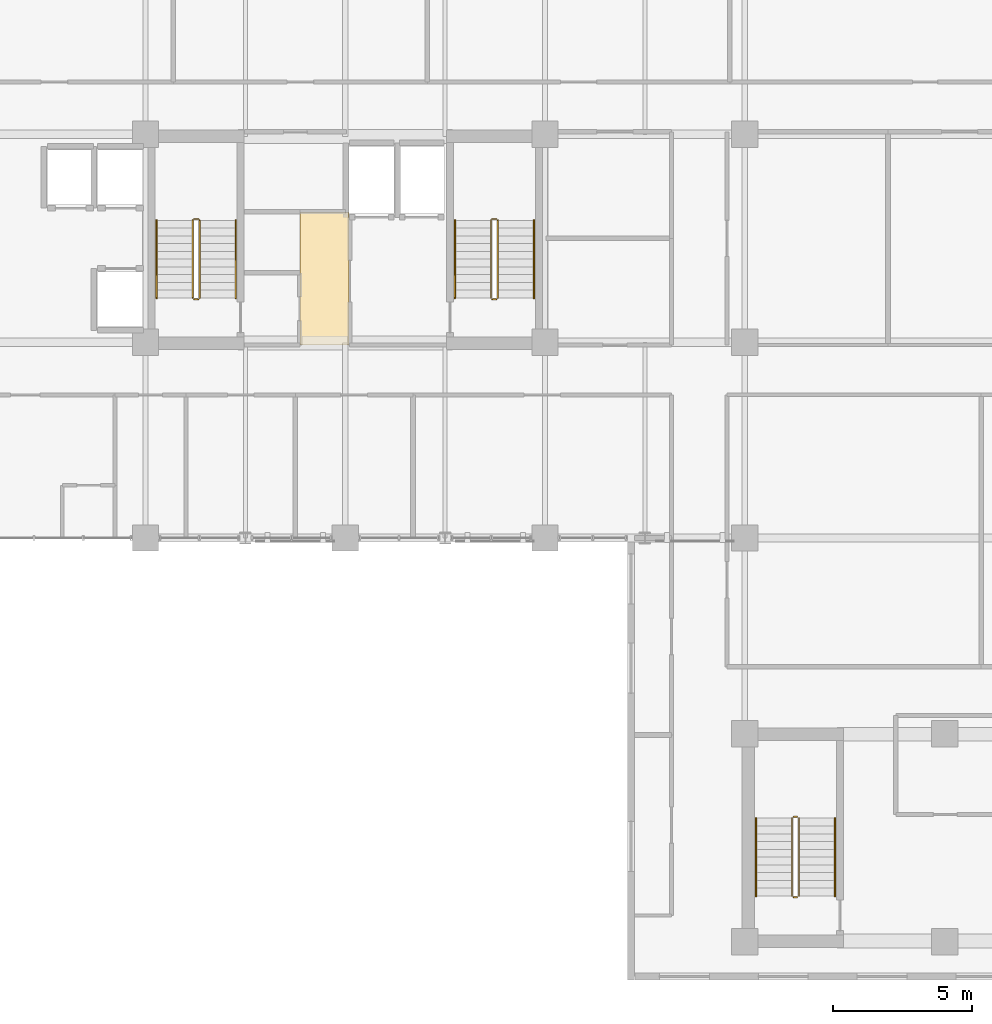
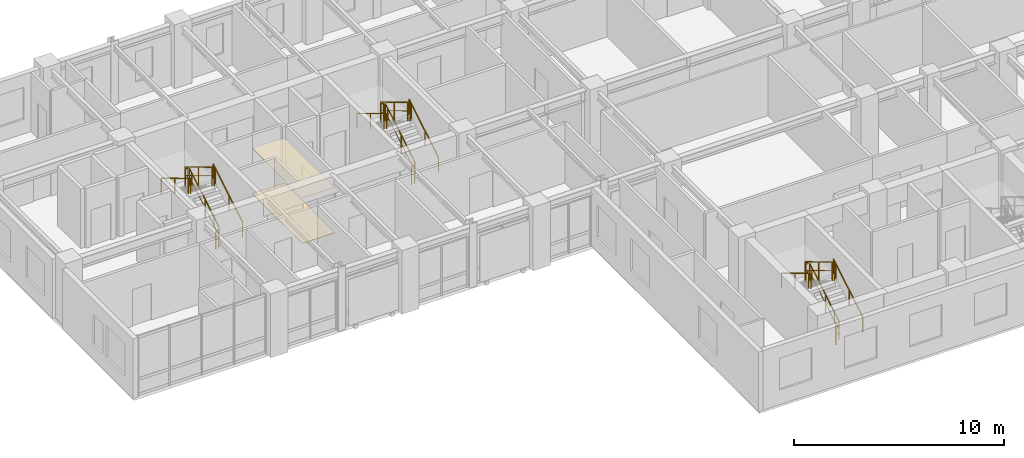
# One storey, part 14 of 16: 18 railings, 2 coverings.
"""IFC4 building model written with IfcOpenShell, lengths in metres."""

import ifcopenshell
import ifcopenshell.guid

model = None  # the IFC model being written
_history = None  # IfcOwnerHistory: only IFC2X3 demands one
_inside = {}  # id of a spatial element -> (the spatial element, [elements in it])
_under = {}  # id of a project, library or spatial element -> (it, [spatial elements below it])
_declared = {}  # id of a project -> (the project, [libraries it declares])
_typed = {}  # id of a type object -> (the type object, [elements of that type])
_made_of = {}  # id of a material, layer set ... -> (it, [elements and type objects made of it])


def new_model(schema):
    """Start an empty IFC model of exactly this schema.

    Asked for "IFC4X3", IfcOpenShell would pick the latest addendum, in which some entities
    have other attributes; the version numbers below select the first issue.
    IFC2X3 requires an IfcOwnerHistory on every rooted entity: one is made here for all.
    """
    global model, _history
    if schema == "IFC4X3":
        model = ifcopenshell.file(schema_version=(4, 3, 0, 0))
    else:
        model = ifcopenshell.file(schema=schema)
    _inside.clear()
    _under.clear()
    _declared.clear()
    _typed.clear()
    _made_of.clear()
    _history = None
    if model.schema == "IFC2X3":
        org = make("IfcOrganization", Name="unknown")
        user = make(
            "IfcPersonAndOrganization",
            ThePerson=make("IfcPerson", FamilyName="unknown"),
            TheOrganization=org,
        )
        app = make(
            "IfcApplication",
            ApplicationDeveloper=org,
            Version="unknown",
            ApplicationFullName="unknown",
            ApplicationIdentifier="unknown",
        )
        _history = make(
            "IfcOwnerHistory",
            OwningUser=user,
            OwningApplication=app,
            ChangeAction="ADDED",
            CreationDate=0,
        )
    return model


def make(cls, **values):
    """One entity of the class cls with the attributes given. An attribute that is None is left unset."""
    return model.create_entity(
        cls, **{name: value for name, value in values.items() if value is not None}
    )


def rooted(cls, **values):
    """An entity with a GlobalId (a new one), such as an element, a storey or a relation."""
    return make(cls, GlobalId=ifcopenshell.guid.new(), OwnerHistory=_history, **values)


def si_unit(unit_type, name, prefix=None):
    """IfcSIUnit, for example si_unit("LENGTHUNIT", "METRE", prefix="MILLI")."""
    return make("IfcSIUnit", UnitType=unit_type, Prefix=prefix, Name=name)


def assignment(units):
    """IfcUnitAssignment: the units of a project."""
    return None if units is None else make("IfcUnitAssignment", Units=units)


def point(xyz):
    """IfcCartesianPoint."""
    return None if xyz is None else make("IfcCartesianPoint", Coordinates=xyz)


def direction(xyz):
    """IfcDirection."""
    return None if xyz is None else make("IfcDirection", DirectionRatios=xyz)


def frame(location, z_axis=None, x_axis=None):
    """IfcAxis2Placement3D, a coordinate frame: its origin and axes. An axis left out is left unset."""
    return make(
        "IfcAxis2Placement3D",
        Location=point(location),
        Axis=direction(z_axis),
        RefDirection=direction(x_axis),
    )


def frame_2d(location, x_axis=None):
    """IfcAxis2Placement2D, a coordinate frame in the plane: its origin and x axis."""
    return make(
        "IfcAxis2Placement2D", Location=point(location), RefDirection=direction(x_axis)
    )


def origin():
    """The frame at (0, 0, 0) with its axes left unset."""
    return frame((0.0, 0.0, 0.0))


def origin_2d():
    """The frame at (0, 0) in the plane with its x axis left unset."""
    return frame_2d((0.0, 0.0))


def place(relative_to, where):
    """IfcLocalPlacement: puts the frame where relative to a parent placement (None: the world)."""
    return make(
        "IfcLocalPlacement", PlacementRelTo=relative_to, RelativePlacement=where
    )


def context(
    kind, dimensions, precision=None, world=None, true_north=None, identifier=None
):
    """IfcGeometricRepresentationContext, for example the 3D "Model" context."""
    return make(
        "IfcGeometricRepresentationContext",
        ContextIdentifier=identifier,
        ContextType=kind,
        CoordinateSpaceDimension=dimensions,
        Precision=precision,
        WorldCoordinateSystem=world,
        TrueNorth=true_north,
    )


def subcontext(parent, identifier, kind, view, scale=None):
    """IfcGeometricRepresentationSubContext, for example "Body" below "Model"."""
    return make(
        "IfcGeometricRepresentationSubContext",
        ContextIdentifier=identifier,
        ContextType=kind,
        ParentContext=parent,
        TargetScale=scale,
        TargetView=view,
    )


def project(units=None, contexts=None):
    """IfcProject with its units and contexts."""
    return rooted(
        "IfcProject",
        Name="project",
        RepresentationContexts=contexts,
        UnitsInContext=assignment(units),
    )


def spatial(cls, under=None, at=None, **own):
    """A site, building, storey or space (cls), placed at a placement, below another one or the project."""
    s = rooted(cls, ObjectPlacement=at, **own)
    if under is not None:
        _under.setdefault(under.id(), (under, []))[1].append(s)
    return s


def profile(cls, at=None, kind="AREA", **sizes):
    """A parametric profile (cls). Its sizes go by their IFC names, for example OverallWidth=200.0."""
    return make(cls, ProfileType=kind, Position=at, **sizes)


def rectangle(**sizes):
    """IfcRectangleProfileDef."""
    return profile("IfcRectangleProfileDef", **sizes)


def extrude(swept, where, along, depth):
    """IfcExtrudedAreaSolid: the profile swept, set in the frame where, extruded along a direction by depth."""
    return make(
        "IfcExtrudedAreaSolid",
        SweptArea=swept,
        Position=where,
        ExtrudedDirection=direction(along),
        Depth=depth,
    )


def shape(context_of_items, identifier, shape_type, items):
    """IfcShapeRepresentation: the items that make up one representation, for example the "Body"."""
    return make(
        "IfcShapeRepresentation",
        ContextOfItems=context_of_items,
        RepresentationIdentifier=identifier,
        RepresentationType=shape_type,
        Items=items,
    )


def source(mapping_origin, context_of_items, identifier, shape_type, items):
    """IfcRepresentationMap: a shape defined once, which mapped items show again and again."""
    return make(
        "IfcRepresentationMap",
        MappingOrigin=mapping_origin,
        MappedRepresentation=shape(context_of_items, identifier, shape_type, items),
    )


def transform(
    local_origin,
    x_axis=None,
    y_axis=None,
    z_axis=None,
    scale=None,
    scale2=None,
    scale3=None,
    uniform=True,
):
    """IfcCartesianTransformationOperator3D, or its non-uniform kind. x_axis, y_axis, z_axis: its Axis1, 2, 3."""
    if uniform:
        return make(
            "IfcCartesianTransformationOperator3D",
            Axis1=direction(x_axis),
            Axis2=direction(y_axis),
            LocalOrigin=point(local_origin),
            Scale=scale,
            Axis3=direction(z_axis),
        )
    return make(
        "IfcCartesianTransformationOperator3DnonUniform",
        Axis1=direction(x_axis),
        Axis2=direction(y_axis),
        LocalOrigin=point(local_origin),
        Scale=scale,
        Axis3=direction(z_axis),
        Scale2=scale2,
        Scale3=scale3,
    )


def mapped(mapping_source, mapping_target):
    """IfcMappedItem: shows the shape of a source again, moved by a transform."""
    return make(
        "IfcMappedItem", MappingSource=mapping_source, MappingTarget=mapping_target
    )


def material(Name=None, Category=None):
    """IfcMaterial."""
    return make("IfcMaterial", Name=Name, Category=Category)


def layer(
    of_material, thickness, ventilated=None, Name=None, Category=None, Priority=None
):
    """IfcMaterialLayer: one layer of a wall or slab, of a material (None: an air gap)."""
    return make(
        "IfcMaterialLayer",
        Material=of_material,
        LayerThickness=thickness,
        IsVentilated=ventilated,
        Name=Name,
        Category=Category,
        Priority=Priority,
    )


def layer_set(layers, Name=None):
    """IfcMaterialLayerSet."""
    return make("IfcMaterialLayerSet", MaterialLayers=layers, LayerSetName=Name)


def made_of(thing, what):
    """Note that an element or type object is made of a material, layer set ...; save() writes the relation."""
    if what is not None:
        _made_of.setdefault(what.id(), (what, []))[1].append(thing)
    return thing


def type_object(cls, material=None, **own):
    """A type object (cls), such as IfcWallType, which elements share."""
    return made_of(rooted(cls, **own), material)


def element(
    cls,
    number,
    at=None,
    inside=None,
    cuts=None,
    type_object=None,
    material=None,
    context=None,
    identifier="Body",
    shape_type=None,
    held_by="IfcProductDefinitionShape",
    body=None,
    shapes=None,
    **own,
):
    """One element of the class cls, such as IfcWall. Its Tag is "e" and its number.

    at: its placement. inside: the storey or other place that contains it. cuts: it is an
    opening in that element (IfcRelVoidsElement). A single representation is given by context,
    identifier, shape_type and body (its items); several are given by shapes. held_by: the class
    of the entity that holds the representations. save() writes the other relations.
    """
    e = rooted(cls, Tag="e%d" % number, ObjectPlacement=at, **own)
    if body is not None:
        shapes = [shape(context, identifier, shape_type, body)]
    if shapes is not None:
        e.Representation = make(held_by, Representations=shapes)
    if inside is not None:
        _inside.setdefault(inside.id(), (inside, []))[1].append(e)
    if cuts is not None:
        rooted(
            "IfcRelVoidsElement", RelatingBuildingElement=cuts, RelatedOpeningElement=e
        )
    if type_object is not None:
        _typed.setdefault(type_object.id(), (type_object, []))[1].append(e)
    return made_of(e, material)


def aggregate(whole, parts):
    """IfcRelAggregates: a whole, such as a stair, and the parts it consists of."""
    return rooted("IfcRelAggregates", RelatingObject=whole, RelatedObjects=parts)


def save(model, path):
    """Write the relations noted so far, then the file.

    IfcRelAggregates (storeys below a building ...), IfcRelContainedInSpatialStructure (elements
    in a storey), IfcRelDefinesByType, IfcRelAssociatesMaterial and IfcRelDeclares: one each for
    every whole, place, type object, material and project.
    """
    for whole, parts in _under.values():
        aggregate(whole, parts)
    for where, things in _inside.values():
        rooted(
            "IfcRelContainedInSpatialStructure",
            RelatedElements=things,
            RelatingStructure=where,
        )
    for kind, things in _typed.values():
        rooted("IfcRelDefinesByType", RelatedObjects=things, RelatingType=kind)
    for what, things in _made_of.values():
        rooted("IfcRelAssociatesMaterial", RelatedObjects=things, RelatingMaterial=what)
    for by, libraries in _declared.values():
        rooted("IfcRelDeclares", RelatingContext=by, RelatedDefinitions=libraries)
    model.write(path)


model = new_model("IFC4")

# Units and contexts
model_context = context("Model", 3, precision=1e-05, world=origin(), true_north=direction((0.0, 1.0)))
body_context = subcontext(model_context, "Body", "Model", "MODEL_VIEW")
ifc_project = project(units=[si_unit("LENGTHUNIT", "METRE"), si_unit("AREAUNIT", "SQUARE_METRE"), si_unit("VOLUMEUNIT", "CUBIC_METRE"), si_unit("PLANEANGLEUNIT", "RADIAN"), si_unit("MASSUNIT", "GRAM", prefix="KILO")], contexts=[model_context])

# Site, building, storey
site_placement = place(None, origin())
site = spatial("IfcSite", under=ifc_project, at=site_placement, CompositionType="ELEMENT")
building_placement = place(site_placement, origin())
building = spatial("IfcBuilding", under=site, at=building_placement, Name="Kaliganga Portal Commons", CompositionType="ELEMENT")
storey_placement = place(building_placement, frame((0.0, 0.0, 205.5)))
storey = spatial("IfcBuildingStorey", under=building, at=storey_placement, Name="L52", CompositionType="ELEMENT", Elevation=205.5)

# Railings
ifc_material_1 = material(Name="Galvanized Painted Steel Balustrade", Category="steel")
railing_type_1 = type_object("IfcRailingType", Name="RLG-STAIR-GRD", PredefinedType="GUARDRAIL", material=ifc_material_1)
railing_1_placement = place(storey_placement, frame((16.35009765625, 30.25, 0.168212890625)))
element("IfcRailing", 1, at=railing_1_placement, inside=storey, type_object=railing_type_1, Name="L52 ST-A1 stair guard 1", PredefinedType="GUARDRAIL", context=body_context, shape_type="SweptSolid", body=[
    extrude(rectangle(XDim=0.048095703125, YDim=0.048095703125, at=origin_2d()), frame((0.0, 0.0, 1.072021484375), z_axis=(0.0, 0.857242210791, 0.514913383045), x_axis=(-1.0, 0.0, 0.0)), (0.0, 0.0, 1.0), 3.266357421875),
    extrude(rectangle(XDim=0.028076171875, YDim=0.028076171875, at=origin_2d()), frame((0.0, 0.0, 0.572021484375), z_axis=(0.0, 0.857242210791, 0.514913383045), x_axis=(-1.0, 0.0, 0.0)), (0.0, 0.0, 1.0), 3.266357421875),
    extrude(rectangle(XDim=0.0419921875, YDim=0.0419921875, at=origin_2d()), origin(), (0.0, 0.0, 1.0), 1.052001953125),
    extrude(rectangle(XDim=0.0419921875, YDim=0.0419921875, at=origin_2d()), frame((0.0, 1.285888671875, 0.7724609375)), (0.0, 0.0, 1.0), 1.052001953125),
    extrude(rectangle(XDim=0.0419921875, YDim=0.0419921875, at=origin_2d()), frame((0.0, 2.57177734375, 1.544677734375)), (0.0, 0.0, 1.0), 1.052001953125),
    extrude(rectangle(XDim=0.0419921875, YDim=0.0419921875, at=origin_2d()), frame((0.0, 2.800048828125, 1.681884765625)), (0.0, 0.0, 1.0), 1.052001953125),
])
railing_2_placement = place(storey_placement, frame((16.300048828125, 33.10009765625, 1.85009765625)))
element("IfcRailing", 2, at=railing_2_placement, inside=storey, type_object=railing_type_1, Name="L52 ST-A1 stair guard 2", PredefinedType="GUARDRAIL", context=body_context, shape_type="SweptSolid", body=[
    extrude(rectangle(XDim=0.048095703125, YDim=0.048095703125, at=origin_2d()), frame((0.0, 0.0, 1.076171875), z_axis=(-1.0, 0.0, 0.0), x_axis=(0.0, -1.0, 0.0)), (0.0, 0.0, 1.0), 0.150146484375),
    extrude(rectangle(XDim=0.028076171875, YDim=0.028076171875, at=origin_2d()), frame((0.0, 0.0, 0.572021484375), z_axis=(-1.0, 0.0, 0.0), x_axis=(0.0, -1.0, 0.0)), (0.0, 0.0, 1.0), 0.150146484375),
    extrude(rectangle(XDim=0.0419921875, YDim=0.0419921875, at=origin_2d()), origin(), (0.0, 0.0, 1.0), 1.052001953125),
    extrude(rectangle(XDim=0.0419921875, YDim=0.0419921875, at=origin_2d()), frame((-0.150146484375, 0.0, 0.0)), (0.0, 0.0, 1.0), 1.052001953125),
])
railing_3_placement = place(storey_placement, frame((16.10009765625, 33.050048828125, 2.01806640625)))
element("IfcRailing", 3, at=railing_3_placement, inside=storey, type_object=railing_type_1, Name="L52 ST-A1 stair guard 3", PredefinedType="GUARDRAIL", context=body_context, shape_type="SweptSolid", body=[
    extrude(rectangle(XDim=0.048095703125, YDim=0.048095703125, at=origin_2d()), frame((0.0, 0.0, 1.072021484375), z_axis=(0.0, -0.857242210791, 0.514913383045), x_axis=(1.0, 0.0, 0.0)), (0.0, 0.0, 1.0), 3.266357421875),
    extrude(rectangle(XDim=0.028076171875, YDim=0.028076171875, at=origin_2d()), frame((0.0, 0.0, 0.572021484375), z_axis=(0.0, -0.857242210791, 0.514913383045), x_axis=(1.0, 0.0, 0.0)), (0.0, 0.0, 1.0), 3.266357421875),
    extrude(rectangle(XDim=0.0419921875, YDim=0.0419921875, at=origin_2d()), origin(), (0.0, 0.0, 1.0), 1.052001953125),
    extrude(rectangle(XDim=0.0419921875, YDim=0.0419921875, at=origin_2d()), frame((0.0, -1.285888671875, 0.7724609375)), (0.0, 0.0, 1.0), 1.052001953125),
    extrude(rectangle(XDim=0.0419921875, YDim=0.0419921875, at=origin_2d()), frame((0.0, -2.57177734375, 1.544677734375)), (0.0, 0.0, 1.0), 1.052001953125),
    extrude(rectangle(XDim=0.0419921875, YDim=0.0419921875, at=origin_2d()), frame((0.0, -2.800048828125, 1.681884765625)), (0.0, 0.0, 1.0), 1.052001953125),
])
railing_4_placement = place(storey_placement, frame((16.300048828125, 30.199951171875, 0.0)))
element("IfcRailing", 4, at=railing_4_placement, inside=storey, type_object=railing_type_1, Name="L52 ST-A1 stair guard 4", PredefinedType="GUARDRAIL", context=body_context, shape_type="SweptSolid", body=[
    extrude(rectangle(XDim=0.048095703125, YDim=0.048095703125, at=origin_2d()), frame((0.0, 0.0, 1.076171875), z_axis=(-1.0, 0.0, 0.0), x_axis=(0.0, -1.0, 0.0)), (0.0, 0.0, 1.0), 0.150146484375),
    extrude(rectangle(XDim=0.028076171875, YDim=0.028076171875, at=origin_2d()), frame((0.0, 0.0, 0.572021484375), z_axis=(-1.0, 0.0, 0.0), x_axis=(0.0, -1.0, 0.0)), (0.0, 0.0, 1.0), 0.150146484375),
    extrude(rectangle(XDim=0.0419921875, YDim=0.0419921875, at=origin_2d()), origin(), (0.0, 0.0, 1.0), 1.052001953125),
    extrude(rectangle(XDim=0.0419921875, YDim=0.0419921875, at=origin_2d()), frame((-0.150146484375, 0.0, 0.0)), (0.0, 0.0, 1.0), 1.052001953125),
])
railing_5_placement = place(storey_placement, frame((27.10009765625, 30.25, 0.168212890625)))
element("IfcRailing", 5, at=railing_5_placement, inside=storey, type_object=railing_type_1, Name="L52 ST-A2 stair guard 1", PredefinedType="GUARDRAIL", context=body_context, shape_type="SweptSolid", body=[
    extrude(rectangle(XDim=0.048095703125, YDim=0.048095703125, at=origin_2d()), frame((0.0, 0.0, 1.072021484375), z_axis=(0.0, 0.857242210791, 0.514913383045), x_axis=(-1.0, 0.0, 0.0)), (0.0, 0.0, 1.0), 3.266357421875),
    extrude(rectangle(XDim=0.028076171875, YDim=0.028076171875, at=origin_2d()), frame((0.0, 0.0, 0.572021484375), z_axis=(0.0, 0.857242210791, 0.514913383045), x_axis=(-1.0, 0.0, 0.0)), (0.0, 0.0, 1.0), 3.266357421875),
    extrude(rectangle(XDim=0.0419921875, YDim=0.0419921875, at=origin_2d()), origin(), (0.0, 0.0, 1.0), 1.052001953125),
    extrude(rectangle(XDim=0.0419921875, YDim=0.0419921875, at=origin_2d()), frame((0.0, 1.285888671875, 0.7724609375)), (0.0, 0.0, 1.0), 1.052001953125),
    extrude(rectangle(XDim=0.0419921875, YDim=0.0419921875, at=origin_2d()), frame((0.0, 2.57177734375, 1.544677734375)), (0.0, 0.0, 1.0), 1.052001953125),
    extrude(rectangle(XDim=0.0419921875, YDim=0.0419921875, at=origin_2d()), frame((0.0, 2.800048828125, 1.681884765625)), (0.0, 0.0, 1.0), 1.052001953125),
])
railing_6_placement = place(storey_placement, frame((27.050048828125, 33.10009765625, 1.85009765625)))
element("IfcRailing", 6, at=railing_6_placement, inside=storey, type_object=railing_type_1, Name="L52 ST-A2 stair guard 2", PredefinedType="GUARDRAIL", context=body_context, shape_type="SweptSolid", body=[
    extrude(rectangle(XDim=0.048095703125, YDim=0.048095703125, at=origin_2d()), frame((0.0, 0.0, 1.076171875), z_axis=(-1.0, 0.0, 0.0), x_axis=(0.0, -1.0, 0.0)), (0.0, 0.0, 1.0), 0.150146484375),
    extrude(rectangle(XDim=0.028076171875, YDim=0.028076171875, at=origin_2d()), frame((0.0, 0.0, 0.572021484375), z_axis=(-1.0, 0.0, 0.0), x_axis=(0.0, -1.0, 0.0)), (0.0, 0.0, 1.0), 0.150146484375),
    extrude(rectangle(XDim=0.0419921875, YDim=0.0419921875, at=origin_2d()), origin(), (0.0, 0.0, 1.0), 1.052001953125),
    extrude(rectangle(XDim=0.0419921875, YDim=0.0419921875, at=origin_2d()), frame((-0.150146484375, 0.0, 0.0)), (0.0, 0.0, 1.0), 1.052001953125),
])
railing_7_placement = place(storey_placement, frame((26.85009765625, 33.050048828125, 2.01806640625)))
element("IfcRailing", 7, at=railing_7_placement, inside=storey, type_object=railing_type_1, Name="L52 ST-A2 stair guard 3", PredefinedType="GUARDRAIL", context=body_context, shape_type="SweptSolid", body=[
    extrude(rectangle(XDim=0.048095703125, YDim=0.048095703125, at=origin_2d()), frame((0.0, 0.0, 1.072021484375), z_axis=(0.0, -0.857242210791, 0.514913383045), x_axis=(1.0, 0.0, 0.0)), (0.0, 0.0, 1.0), 3.266357421875),
    extrude(rectangle(XDim=0.028076171875, YDim=0.028076171875, at=origin_2d()), frame((0.0, 0.0, 0.572021484375), z_axis=(0.0, -0.857242210791, 0.514913383045), x_axis=(1.0, 0.0, 0.0)), (0.0, 0.0, 1.0), 3.266357421875),
    extrude(rectangle(XDim=0.0419921875, YDim=0.0419921875, at=origin_2d()), origin(), (0.0, 0.0, 1.0), 1.052001953125),
    extrude(rectangle(XDim=0.0419921875, YDim=0.0419921875, at=origin_2d()), frame((0.0, -1.285888671875, 0.7724609375)), (0.0, 0.0, 1.0), 1.052001953125),
    extrude(rectangle(XDim=0.0419921875, YDim=0.0419921875, at=origin_2d()), frame((0.0, -2.57177734375, 1.544677734375)), (0.0, 0.0, 1.0), 1.052001953125),
    extrude(rectangle(XDim=0.0419921875, YDim=0.0419921875, at=origin_2d()), frame((0.0, -2.800048828125, 1.681884765625)), (0.0, 0.0, 1.0), 1.052001953125),
])
railing_8_placement = place(storey_placement, frame((27.050048828125, 30.199951171875, 0.0)))
element("IfcRailing", 8, at=railing_8_placement, inside=storey, type_object=railing_type_1, Name="L52 ST-A2 stair guard 4", PredefinedType="GUARDRAIL", context=body_context, shape_type="SweptSolid", body=[
    extrude(rectangle(XDim=0.048095703125, YDim=0.048095703125, at=origin_2d()), frame((0.0, 0.0, 1.076171875), z_axis=(-1.0, 0.0, 0.0), x_axis=(0.0, -1.0, 0.0)), (0.0, 0.0, 1.0), 0.150146484375),
    extrude(rectangle(XDim=0.028076171875, YDim=0.028076171875, at=origin_2d()), frame((0.0, 0.0, 0.572021484375), z_axis=(-1.0, 0.0, 0.0), x_axis=(0.0, -1.0, 0.0)), (0.0, 0.0, 1.0), 0.150146484375),
    extrude(rectangle(XDim=0.0419921875, YDim=0.0419921875, at=origin_2d()), origin(), (0.0, 0.0, 1.0), 1.052001953125),
    extrude(rectangle(XDim=0.0419921875, YDim=0.0419921875, at=origin_2d()), frame((-0.150146484375, 0.0, 0.0)), (0.0, 0.0, 1.0), 1.052001953125),
])
railing_9_placement = place(storey_placement, frame((37.949951171875, 8.699951171875, 0.168212890625)))
element("IfcRailing", 9, at=railing_9_placement, inside=storey, type_object=railing_type_1, Name="L52 ST-B1 stair guard 1", PredefinedType="GUARDRAIL", context=body_context, shape_type="SweptSolid", body=[
    extrude(rectangle(XDim=0.048095703125, YDim=0.048095703125, at=origin_2d()), frame((0.0, 0.0, 1.072021484375), z_axis=(0.0, 0.857242210791, 0.514913383045), x_axis=(-1.0, 0.0, 0.0)), (0.0, 0.0, 1.0), 3.266357421875),
    extrude(rectangle(XDim=0.028076171875, YDim=0.028076171875, at=origin_2d()), frame((0.0, 0.0, 0.572021484375), z_axis=(0.0, 0.857242210791, 0.514913383045), x_axis=(-1.0, 0.0, 0.0)), (0.0, 0.0, 1.0), 3.266357421875),
    extrude(rectangle(XDim=0.0419921875, YDim=0.0419921875, at=origin_2d()), origin(), (0.0, 0.0, 1.0), 1.052001953125),
    extrude(rectangle(XDim=0.0419921875, YDim=0.0419921875, at=origin_2d()), frame((0.0, 1.285888671875, 0.7724609375)), (0.0, 0.0, 1.0), 1.052001953125),
    extrude(rectangle(XDim=0.0419921875, YDim=0.0419921875, at=origin_2d()), frame((0.0, 2.57177734375, 1.544677734375)), (0.0, 0.0, 1.0), 1.052001953125),
    extrude(rectangle(XDim=0.0419921875, YDim=0.0419921875, at=origin_2d()), frame((0.0, 2.800048828125, 1.681884765625)), (0.0, 0.0, 1.0), 1.052001953125),
])
railing_10_placement = place(storey_placement, frame((37.89990234375, 11.550048828125, 1.85009765625)))
element("IfcRailing", 10, at=railing_10_placement, inside=storey, type_object=railing_type_1, Name="L52 ST-B1 stair guard 2", PredefinedType="GUARDRAIL", context=body_context, shape_type="SweptSolid", body=[
    extrude(rectangle(XDim=0.048095703125, YDim=0.048095703125, at=origin_2d()), frame((0.0, 0.0, 1.076171875), z_axis=(-1.0, 0.0, 0.0), x_axis=(0.0, -1.0, 0.0)), (0.0, 0.0, 1.0), 0.14990234375),
    extrude(rectangle(XDim=0.028076171875, YDim=0.028076171875, at=origin_2d()), frame((0.0, 0.0, 0.572021484375), z_axis=(-1.0, 0.0, 0.0), x_axis=(0.0, -1.0, 0.0)), (0.0, 0.0, 1.0), 0.14990234375),
    extrude(rectangle(XDim=0.0419921875, YDim=0.0419921875, at=origin_2d()), frame((-0.14990234375, 0.0, 0.0)), (0.0, 0.0, 1.0), 1.052001953125),
])
railing_11_placement = place(storey_placement, frame((37.699951171875, 11.5, 2.01806640625)))
element("IfcRailing", 11, at=railing_11_placement, inside=storey, type_object=railing_type_1, Name="L52 ST-B1 stair guard 3", PredefinedType="GUARDRAIL", context=body_context, shape_type="SweptSolid", body=[
    extrude(rectangle(XDim=0.048095703125, YDim=0.048095703125, at=origin_2d()), frame((0.0, 0.0, 1.072021484375), z_axis=(0.0, -0.857242210791, 0.514913383045), x_axis=(1.0, 0.0, 0.0)), (0.0, 0.0, 1.0), 3.266357421875),
    extrude(rectangle(XDim=0.028076171875, YDim=0.028076171875, at=origin_2d()), frame((0.0, 0.0, 0.572021484375), z_axis=(0.0, -0.857242210791, 0.514913383045), x_axis=(1.0, 0.0, 0.0)), (0.0, 0.0, 1.0), 3.266357421875),
    extrude(rectangle(XDim=0.0419921875, YDim=0.0419921875, at=origin_2d()), origin(), (0.0, 0.0, 1.0), 1.052001953125),
    extrude(rectangle(XDim=0.0419921875, YDim=0.0419921875, at=origin_2d()), frame((0.0, -1.285888671875, 0.7724609375)), (0.0, 0.0, 1.0), 1.052001953125),
    extrude(rectangle(XDim=0.0419921875, YDim=0.0419921875, at=origin_2d()), frame((0.0, -2.57177734375, 1.544677734375)), (0.0, 0.0, 1.0), 1.052001953125),
    extrude(rectangle(XDim=0.0419921875, YDim=0.0419921875, at=origin_2d()), frame((0.0, -2.800048828125, 1.681884765625)), (0.0, 0.0, 1.0), 1.052001953125),
])
railing_12_placement = place(storey_placement, frame((37.89990234375, 8.64990234375, 0.0)))
element("IfcRailing", 12, at=railing_12_placement, inside=storey, type_object=railing_type_1, Name="L52 ST-B1 stair guard 4", PredefinedType="GUARDRAIL", context=body_context, shape_type="SweptSolid", body=[
    extrude(rectangle(XDim=0.048095703125, YDim=0.048095703125, at=origin_2d()), frame((0.0, 0.0, 1.076171875), z_axis=(-1.0, 0.0, 0.0), x_axis=(0.0, -1.0, 0.0)), (0.0, 0.0, 1.0), 0.14990234375),
    extrude(rectangle(XDim=0.028076171875, YDim=0.028076171875, at=origin_2d()), frame((0.0, 0.0, 0.572021484375), z_axis=(-1.0, 0.0, 0.0), x_axis=(0.0, -1.0, 0.0)), (0.0, 0.0, 1.0), 0.14990234375),
    extrude(rectangle(XDim=0.0419921875, YDim=0.0419921875, at=origin_2d()), frame((-0.14990234375, 0.0, 0.0)), (0.0, 0.0, 1.0), 1.052001953125),
])
ifc_material_2 = material(Name="Brushed Stainless Steel 316", Category="steel")
railing_type_2 = type_object("IfcRailingType", Name="RLG-STAIR-HR", PredefinedType="HANDRAIL", material=ifc_material_2)
railing_13_placement = place(storey_placement, frame((17.64990234375, 30.25, 0.168212890625)))
element("IfcRailing", 13, at=railing_13_placement, inside=storey, type_object=railing_type_2, Name="L52 ST-A1 stair handrail 1", PredefinedType="HANDRAIL", context=body_context, shape_type="SweptSolid", body=[
    extrude(rectangle(XDim=0.048095703125, YDim=0.048095703125, at=origin_2d()), frame((0.0, 0.0, 0.871826171875), z_axis=(0.0, 0.857242210791, 0.514913383045), x_axis=(-1.0, 0.0, 0.0)), (0.0, 0.0, 1.0), 3.266357421875),
    extrude(rectangle(XDim=0.0419921875, YDim=0.0419921875, at=origin_2d()), origin(), (0.0, 0.0, 1.0), 0.851806640625),
    extrude(rectangle(XDim=0.0419921875, YDim=0.0419921875, at=origin_2d()), frame((0.0, 1.285888671875, 0.7724609375)), (0.0, 0.0, 1.0), 0.851806640625),
    extrude(rectangle(XDim=0.0419921875, YDim=0.0419921875, at=origin_2d()), frame((0.0, 2.57177734375, 1.544677734375)), (0.0, 0.0, 1.0), 0.851806640625),
    extrude(rectangle(XDim=0.0419921875, YDim=0.0419921875, at=origin_2d()), frame((0.0, 2.800048828125, 1.681884765625)), (0.0, 0.0, 1.0), 0.851806640625),
])
railing_14_placement = place(storey_placement, frame((14.800048828125, 33.050048828125, 2.01806640625)))
element("IfcRailing", 14, at=railing_14_placement, inside=storey, type_object=railing_type_2, Name="L52 ST-A1 stair handrail 2", PredefinedType="HANDRAIL", context=body_context, shape_type="SweptSolid", body=[
    extrude(rectangle(XDim=0.048095703125, YDim=0.048095703125, at=origin_2d()), frame((0.0, 0.0, 0.871826171875), z_axis=(0.0, -0.857242210791, 0.514913383045), x_axis=(1.0, 0.0, 0.0)), (0.0, 0.0, 1.0), 3.266357421875),
    extrude(rectangle(XDim=0.0419921875, YDim=0.0419921875, at=origin_2d()), origin(), (0.0, 0.0, 1.0), 0.851806640625),
    extrude(rectangle(XDim=0.0419921875, YDim=0.0419921875, at=origin_2d()), frame((0.0, -1.285888671875, 0.7724609375)), (0.0, 0.0, 1.0), 0.851806640625),
    extrude(rectangle(XDim=0.0419921875, YDim=0.0419921875, at=origin_2d()), frame((0.0, -2.57177734375, 1.544677734375)), (0.0, 0.0, 1.0), 0.851806640625),
    extrude(rectangle(XDim=0.0419921875, YDim=0.0419921875, at=origin_2d()), frame((0.0, -2.800048828125, 1.681884765625)), (0.0, 0.0, 1.0), 0.851806640625),
])
railing_15_placement = place(storey_placement, frame((28.39990234375, 30.25, 0.168212890625)))
element("IfcRailing", 15, at=railing_15_placement, inside=storey, type_object=railing_type_2, Name="L52 ST-A2 stair handrail 1", PredefinedType="HANDRAIL", context=body_context, shape_type="SweptSolid", body=[
    extrude(rectangle(XDim=0.048095703125, YDim=0.048095703125, at=origin_2d()), frame((0.0, 0.0, 0.871826171875), z_axis=(0.0, 0.857242210791, 0.514913383045), x_axis=(-1.0, 0.0, 0.0)), (0.0, 0.0, 1.0), 3.266357421875),
    extrude(rectangle(XDim=0.0419921875, YDim=0.0419921875, at=origin_2d()), origin(), (0.0, 0.0, 1.0), 0.851806640625),
    extrude(rectangle(XDim=0.0419921875, YDim=0.0419921875, at=origin_2d()), frame((0.0, 1.285888671875, 0.7724609375)), (0.0, 0.0, 1.0), 0.851806640625),
    extrude(rectangle(XDim=0.0419921875, YDim=0.0419921875, at=origin_2d()), frame((0.0, 2.57177734375, 1.544677734375)), (0.0, 0.0, 1.0), 0.851806640625),
    extrude(rectangle(XDim=0.0419921875, YDim=0.0419921875, at=origin_2d()), frame((0.0, 2.800048828125, 1.681884765625)), (0.0, 0.0, 1.0), 0.851806640625),
])
railing_16_placement = place(storey_placement, frame((25.550048828125, 33.050048828125, 2.01806640625)))
element("IfcRailing", 16, at=railing_16_placement, inside=storey, type_object=railing_type_2, Name="L52 ST-A2 stair handrail 2", PredefinedType="HANDRAIL", context=body_context, shape_type="SweptSolid", body=[
    extrude(rectangle(XDim=0.048095703125, YDim=0.048095703125, at=origin_2d()), frame((0.0, 0.0, 0.871826171875), z_axis=(0.0, -0.857242210791, 0.514913383045), x_axis=(1.0, 0.0, 0.0)), (0.0, 0.0, 1.0), 3.266357421875),
    extrude(rectangle(XDim=0.0419921875, YDim=0.0419921875, at=origin_2d()), origin(), (0.0, 0.0, 1.0), 0.851806640625),
    extrude(rectangle(XDim=0.0419921875, YDim=0.0419921875, at=origin_2d()), frame((0.0, -1.285888671875, 0.7724609375)), (0.0, 0.0, 1.0), 0.851806640625),
    extrude(rectangle(XDim=0.0419921875, YDim=0.0419921875, at=origin_2d()), frame((0.0, -2.57177734375, 1.544677734375)), (0.0, 0.0, 1.0), 0.851806640625),
    extrude(rectangle(XDim=0.0419921875, YDim=0.0419921875, at=origin_2d()), frame((0.0, -2.800048828125, 1.681884765625)), (0.0, 0.0, 1.0), 0.851806640625),
])
railing_17_placement = place(storey_placement, frame((39.25, 8.699951171875, 0.168212890625)))
element("IfcRailing", 17, at=railing_17_placement, inside=storey, type_object=railing_type_2, Name="L52 ST-B1 stair handrail 1", PredefinedType="HANDRAIL", context=body_context, shape_type="SweptSolid", body=[
    extrude(rectangle(XDim=0.048095703125, YDim=0.048095703125, at=origin_2d()), frame((0.0, 0.0, 0.871826171875), z_axis=(0.0, 0.857242210791, 0.514913383045), x_axis=(-1.0, 0.0, 0.0)), (0.0, 0.0, 1.0), 3.266357421875),
    extrude(rectangle(XDim=0.0419921875, YDim=0.0419921875, at=origin_2d()), origin(), (0.0, 0.0, 1.0), 0.851806640625),
    extrude(rectangle(XDim=0.0419921875, YDim=0.0419921875, at=origin_2d()), frame((0.0, 1.285888671875, 0.7724609375)), (0.0, 0.0, 1.0), 0.851806640625),
    extrude(rectangle(XDim=0.0419921875, YDim=0.0419921875, at=origin_2d()), frame((0.0, 2.57177734375, 1.544677734375)), (0.0, 0.0, 1.0), 0.851806640625),
    extrude(rectangle(XDim=0.0419921875, YDim=0.0419921875, at=origin_2d()), frame((0.0, 2.800048828125, 1.681884765625)), (0.0, 0.0, 1.0), 0.851806640625),
])
railing_18_placement = place(storey_placement, frame((36.39990234375, 11.5, 2.01806640625)))
element("IfcRailing", 18, at=railing_18_placement, inside=storey, type_object=railing_type_2, Name="L52 ST-B1 stair handrail 2", PredefinedType="HANDRAIL", context=body_context, shape_type="SweptSolid", body=[
    extrude(rectangle(XDim=0.048095703125, YDim=0.048095703125, at=origin_2d()), frame((0.0, 0.0, 0.871826171875), z_axis=(0.0, -0.857242210791, 0.514913383045), x_axis=(1.0, 0.0, 0.0)), (0.0, 0.0, 1.0), 3.266357421875),
    extrude(rectangle(XDim=0.0419921875, YDim=0.0419921875, at=origin_2d()), origin(), (0.0, 0.0, 1.0), 0.851806640625),
    extrude(rectangle(XDim=0.0419921875, YDim=0.0419921875, at=origin_2d()), frame((0.0, -1.285888671875, 0.7724609375)), (0.0, 0.0, 1.0), 0.851806640625),
    extrude(rectangle(XDim=0.0419921875, YDim=0.0419921875, at=origin_2d()), frame((0.0, -2.57177734375, 1.544677734375)), (0.0, 0.0, 1.0), 0.851806640625),
    extrude(rectangle(XDim=0.0419921875, YDim=0.0419921875, at=origin_2d()), frame((0.0, -2.800048828125, 1.681884765625)), (0.0, 0.0, 1.0), 0.851806640625),
])

# Coverings
ifc_material_3 = material(Name="Acoustic Micro-Perforated Gypsum Ceiling", Category="gypsum")
ifc_layer_1 = layer(ifc_material_3, 0.02001953125)
ifc_layer_set_1 = layer_set([ifc_layer_1], Name="Acoustic Micro-Perforated Gypsum Ceiling")
covering_type_1 = type_object("IfcCoveringType", Name="COV-CEIL-GYP", PredefinedType="CEILING", material=ifc_layer_set_1)
shared_shape_1 = source(origin(), body_context, "Body", "SweptSolid", [
    extrude(rectangle(XDim=1.780029296875, YDim=4.780029296875, at=origin_2d()), origin(), (0.0, 0.0, 1.0), 0.02001953125),
])
covering_1_placement = place(storey_placement, frame((20.85009765625, 30.949951171875, 2.639892578125), z_axis=(0.0, 0.0, 1.0), x_axis=(1.0, 0.0, 0.0)))
element("IfcCovering", 19, at=covering_1_placement, inside=storey, type_object=covering_type_1, Name="Acoustic Ceiling L52 PLOB_A", PredefinedType="CEILING", context=body_context, shape_type="MappedRepresentation", body=[
    mapped(shared_shape_1, transform((0.0, 0.0, 0.0), x_axis=(1.0, 0.0, 0.0), y_axis=(0.0, 1.0, 0.0), z_axis=(0.0, 0.0, 1.0), scale=1.0)),
])
ifc_material_4 = material(Name="Polished Sylhet Stone Terrazzo Flooring", Category="masonry")
ifc_layer_2 = layer(ifc_material_4, 0.02490234375)
ifc_layer_set_2 = layer_set([ifc_layer_2], Name="Polished Sylhet Stone Terrazzo Flooring")
covering_type_2 = type_object("IfcCoveringType", Name="COV-FLR-TERRAZZO", PredefinedType="FLOORING", material=ifc_layer_set_2)
shared_shape_2 = source(origin(), body_context, "Body", "SweptSolid", [
    extrude(rectangle(XDim=1.780029296875, YDim=4.780029296875, at=origin_2d()), origin(), (0.0, 0.0, 1.0), 0.02490234375),
])
covering_2_placement = place(storey_placement, frame((20.85009765625, 30.949951171875, 0.00048828125), z_axis=(0.0, 0.0, 1.0), x_axis=(1.0, 0.0, 0.0)))
element("IfcCovering", 20, at=covering_2_placement, inside=storey, type_object=covering_type_2, Name="Terrazzo Flooring L52 PLOB_A", PredefinedType="FLOORING", context=body_context, shape_type="MappedRepresentation", body=[
    mapped(shared_shape_2, transform((0.0, 0.0, 0.0), x_axis=(1.0, 0.0, 0.0), y_axis=(0.0, 1.0, 0.0), z_axis=(0.0, 0.0, 1.0), scale=1.0)),
])

save(model, "model.ifc")
